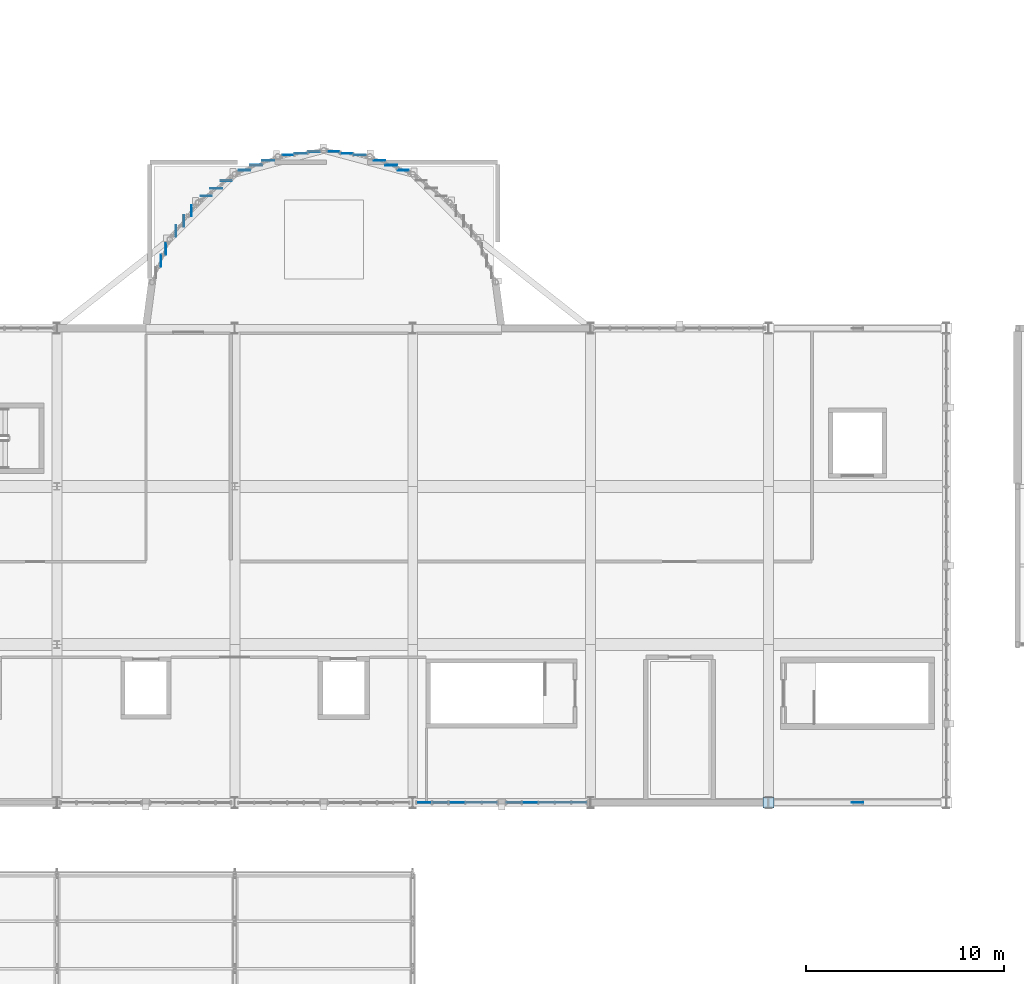
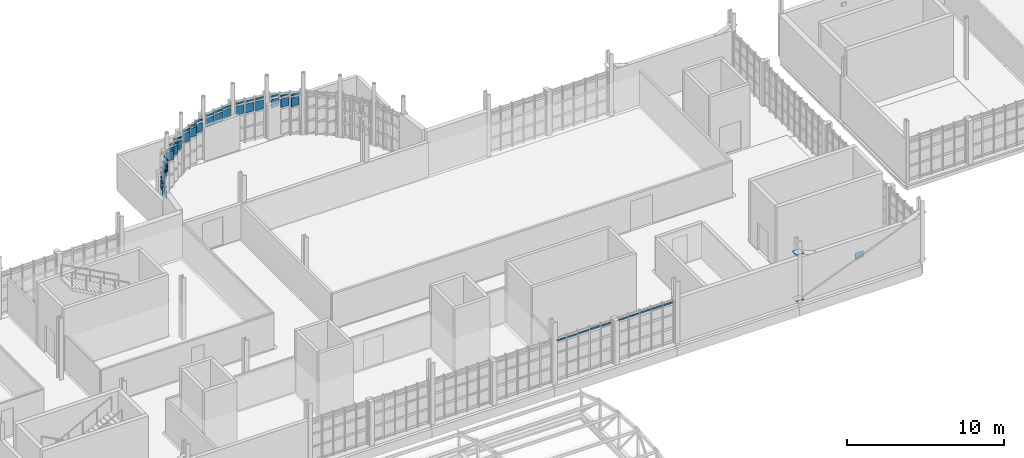
# One storey, part 100 of 128: 53 plates, 9 elements without a shape of their own.
"""IFC4 building model written with IfcOpenShell, lengths in metres."""

from ifc_helpers import new_model, si_unit, direction, frame, origin, origin_2d, place, context, subcontext, project, spatial, rectangle, extrude, material, layer, layer_set, type_object, element, aggregate, save


model = new_model("IFC4")

# Units and contexts
model_context = context("Model", 3, precision=1e-05, world=origin(), true_north=direction((0.0, 1.0)))
body_context = subcontext(model_context, "Body", "Model", "MODEL_VIEW")
ifc_project = project(units=[si_unit("LENGTHUNIT", "METRE"), si_unit("AREAUNIT", "SQUARE_METRE"), si_unit("VOLUMEUNIT", "CUBIC_METRE"), si_unit("PLANEANGLEUNIT", "RADIAN"), si_unit("MASSUNIT", "GRAM", prefix="KILO")], contexts=[model_context])

# Site, building, storey
site_placement = place(None, origin())
site = spatial("IfcSite", under=ifc_project, at=site_placement, CompositionType="ELEMENT")
building_placement = place(site_placement, origin())
building = spatial("IfcBuilding", under=site, at=building_placement, Name="Serraforn Aerial Cableway Station", CompositionType="ELEMENT")
storey_placement = place(building_placement, frame((0.0, 0.0, 9.0)))
storey = spatial("IfcBuildingStorey", under=building, at=storey_placement, Name="L02", CompositionType="ELEMENT", Elevation=9.0)

# Curtain wall, plate
ifc_material_1 = material(Name="Anodised bronze unitised curtain wall")
curtain_wall_type_1 = type_object("IfcCurtainWallType", Name="CW-SYS-23", PredefinedType="USERDEFINED", material=ifc_material_1)
curtain_wall_1_placement = place(storey_placement, origin())
curtain_wall_1 = element("IfcCurtainWall", 1, at=curtain_wall_1_placement, inside=storey, type_object=curtain_wall_type_1, Name="Unitised Curtain Wall CW-CV-L02-S5A", ObjectType="UNITISED CURTAIN WALL", PredefinedType="USERDEFINED")
ifc_material_2 = material(Name="Solar-control low-E double glazing", Category="glass")
ifc_layer_1 = layer(ifc_material_2, 0.02587890625)
ifc_layer_set_1 = layer_set([ifc_layer_1], Name="Solar-control low-E double glazing")
plate_type_1 = type_object("IfcPlateType", Name="CW-GLZ-1", PredefinedType="CURTAIN_PANEL", material=ifc_layer_set_1)
plate_1_placement = place(storey_placement, frame((65.839111328125, 18.0, 3.08251953125), z_axis=(0.0, 0.0, 1.0), x_axis=(1.0, 0.0, 0.0)))
plate_1 = element("IfcPlate", 2, at=plate_1_placement, type_object=plate_type_1, Name="Curtain Wall Panel CW-CV-L02-S5A-P3-4", PredefinedType="CURTAIN_PANEL", context=body_context, shape_type="SweptSolid", body=[
    extrude(rectangle(XDim=0.7734375, YDim=0.02587890625, at=origin_2d()), origin(), (0.0, 0.0, 1.0), 0.1201171875),
])

curtain_wall_type_2 = type_object("IfcCurtainWallType", Name="CW-SYS-24", PredefinedType="USERDEFINED", material=ifc_material_1)
curtain_wall_2_placement = place(storey_placement, origin())
curtain_wall_2 = element("IfcCurtainWall", 3, at=curtain_wall_2_placement, inside=storey, type_object=curtain_wall_type_2, Name="Unitised Curtain Wall CW-CV-L02-S5B", ObjectType="UNITISED CURTAIN WALL", PredefinedType="USERDEFINED")
plate_2_placement = place(storey_placement, frame((69.53662109375, 18.0, 3.08251953125), z_axis=(0.0, 0.0, 1.0), x_axis=(1.0, 0.0, 0.0)))
plate_2 = element("IfcPlate", 4, at=plate_2_placement, type_object=plate_type_1, Name="Curtain Wall Panel CW-CV-L02-S5B-P2-4", PredefinedType="CURTAIN_PANEL", context=body_context, shape_type="SweptSolid", body=[
    extrude(rectangle(XDim=0.7734375, YDim=0.02587890625, at=origin_2d()), origin(), (0.0, 0.0, 1.0), 0.1201171875),
])

# Curtain wall, plates
curtain_wall_type_3 = type_object("IfcCurtainWallType", Name="CW-SYS-5", PredefinedType="USERDEFINED", material=ifc_material_1)
curtain_wall_3_placement = place(storey_placement, origin())
curtain_wall_3 = element("IfcCurtainWall", 5, at=curtain_wall_3_placement, inside=storey, type_object=curtain_wall_type_3, Name="Unitised Curtain Wall CW-AP-L02-R2", ObjectType="UNITISED CURTAIN WALL", PredefinedType="USERDEFINED")
plate_3_placement = place(storey_placement, frame((51.105224609375, 46.015869140625, 3.0673828125), z_axis=(0.0, 0.0, 1.0), x_axis=(1.0, 0.0, 0.0)))
plate_3 = element("IfcPlate", 6, at=plate_3_placement, type_object=plate_type_1, Name="Curtain Wall Panel CW-AP-L02-R2-P1-4", PredefinedType="CURTAIN_PANEL", context=body_context, shape_type="SweptSolid", body=[
    extrude(rectangle(XDim=0.02587890625, YDim=0.569580078125, at=origin_2d()), origin(), (0.0, 0.0, 1.0), 0.150146484375),
])
plate_4_placement = place(storey_placement, frame((50.856689453125, 45.416015625, 2.246826171875), z_axis=(0.0, 0.0, 1.0), x_axis=(1.0, 0.0, 0.0)))
plate_4 = element("IfcPlate", 7, at=plate_4_placement, type_object=plate_type_1, Name="Curtain Wall Panel CW-AP-L02-R2-P2-3", PredefinedType="CURTAIN_PANEL", context=body_context, shape_type="SweptSolid", body=[
    extrude(rectangle(XDim=0.02587890625, YDim=0.59716796875, at=origin_2d()), origin(), (0.0, 0.0, 1.0), 0.697265625),
])

# Curtain wall, plate
curtain_wall_type_4 = type_object("IfcCurtainWallType", Name="CW-SYS-6", PredefinedType="USERDEFINED", material=ifc_material_1)
curtain_wall_4_placement = place(storey_placement, origin())
curtain_wall_4 = element("IfcCurtainWall", 8, at=curtain_wall_4_placement, inside=storey, type_object=curtain_wall_type_4, Name="Unitised Curtain Wall CW-AP-L02-R3", ObjectType="UNITISED CURTAIN WALL", PredefinedType="USERDEFINED")
plate_5_placement = place(storey_placement, frame((52.410888671875, 47.940185546875, 2.246826171875), z_axis=(0.0, 0.0, 1.0), x_axis=(1.0, 0.0, 0.0)))
plate_5 = element("IfcPlate", 9, at=plate_5_placement, type_object=plate_type_1, Name="Curtain Wall Panel CW-AP-L02-R3-P1-3", PredefinedType="CURTAIN_PANEL", context=body_context, shape_type="SweptSolid", body=[
    extrude(rectangle(XDim=0.02587890625, YDim=0.553466796875, at=origin_2d()), origin(), (0.0, 0.0, 1.0), 0.697265625),
])

curtain_wall_type_5 = type_object("IfcCurtainWallType", Name="CW-SYS-11", PredefinedType="USERDEFINED", material=ifc_material_1)
curtain_wall_5_placement = place(storey_placement, origin())
curtain_wall_5 = element("IfcCurtainWall", 10, at=curtain_wall_5_placement, inside=storey, type_object=curtain_wall_type_5, Name="Unitised Curtain Wall CW-AP-L02-R8", ObjectType="UNITISED CURTAIN WALL", PredefinedType="USERDEFINED")
plate_6_placement = place(storey_placement, frame((61.914794921875, 50.4921875, 3.090087890625), z_axis=(0.0, 0.0, 1.0), x_axis=(1.0, 0.0, 0.0)))
plate_6 = element("IfcPlate", 11, at=plate_6_placement, type_object=plate_type_1, Name="Curtain Wall Panel CW-AP-L02-R8-P3-4", PredefinedType="CURTAIN_PANEL", context=body_context, shape_type="SweptSolid", body=[
    extrude(rectangle(XDim=0.58203125, YDim=0.02587890625, at=origin_2d()), origin(), (0.0, 0.0, 1.0), 0.14013671875),
])

# Plate
ifc_layer_2 = layer(ifc_material_2, 0.028076171875)
ifc_layer_set_2 = layer_set([ifc_layer_2], Name="Solar-control low-E double glazing")
plate_type_2 = type_object("IfcPlateType", Name="CW-GLZ-2", PredefinedType="CURTAIN_PANEL", material=ifc_layer_set_2)
plate_7_placement = place(storey_placement, frame((66.667236328125, 18.0, 3.090087890625), z_axis=(0.0, 0.0, 1.0), x_axis=(1.0, 0.0, 0.0)))
plate_7 = element("IfcPlate", 12, at=plate_7_placement, type_object=plate_type_2, Name="Curtain Wall Panel CW-CV-L02-S5A-P4-4", PredefinedType="CURTAIN_PANEL", context=body_context, shape_type="SweptSolid", body=[
    extrude(rectangle(XDim=0.781005859375, YDim=0.028076171875, at=origin_2d()), origin(), (0.0, 0.0, 1.0), 0.14013671875),
])

plate_8_placement = place(storey_placement, frame((70.36474609375, 18.0, 3.090087890625), z_axis=(0.0, 0.0, 1.0), x_axis=(1.0, 0.0, 0.0)))
plate_8 = element("IfcPlate", 13, at=plate_8_placement, type_object=plate_type_2, Name="Curtain Wall Panel CW-CV-L02-S5B-P3-4", PredefinedType="CURTAIN_PANEL", context=body_context, shape_type="SweptSolid", body=[
    extrude(rectangle(XDim=0.781005859375, YDim=0.028076171875, at=origin_2d()), origin(), (0.0, 0.0, 1.0), 0.14013671875),
])

plate_9_placement = place(storey_placement, frame((50.856689453125, 45.416015625, 3.0751953125), z_axis=(0.0, 0.0, 1.0), x_axis=(1.0, 0.0, 0.0)))
plate_9 = element("IfcPlate", 14, at=plate_9_placement, type_object=plate_type_2, Name="Curtain Wall Panel CW-AP-L02-R2-P2-4", PredefinedType="CURTAIN_PANEL", context=body_context, shape_type="SweptSolid", body=[
    extrude(rectangle(XDim=0.028076171875, YDim=0.59716796875, at=origin_2d()), origin(), (0.0, 0.0, 1.0), 0.135009765625),
])

plate_10_placement = place(storey_placement, frame((52.410888671875, 47.940185546875, 3.0751953125), z_axis=(0.0, 0.0, 1.0), x_axis=(1.0, 0.0, 0.0)))
plate_10 = element("IfcPlate", 15, at=plate_10_placement, type_object=plate_type_2, Name="Curtain Wall Panel CW-AP-L02-R3-P1-4", PredefinedType="CURTAIN_PANEL", context=body_context, shape_type="SweptSolid", body=[
    extrude(rectangle(XDim=0.028076171875, YDim=0.553466796875, at=origin_2d()), origin(), (0.0, 0.0, 1.0), 0.135009765625),
])

plate_11_placement = place(storey_placement, frame((52.017822265625, 47.427978515625, 2.25439453125), z_axis=(0.0, 0.0, 1.0), x_axis=(1.0, 0.0, 0.0)))
plate_11 = element("IfcPlate", 16, at=plate_11_placement, type_object=plate_type_2, Name="Curtain Wall Panel CW-AP-L02-R3-P2-3", PredefinedType="CURTAIN_PANEL", context=body_context, shape_type="SweptSolid", body=[
    extrude(rectangle(XDim=0.028076171875, YDim=0.595947265625, at=origin_2d()), origin(), (0.0, 0.0, 1.0), 0.682373046875),
])

# Curtain wall, plate
curtain_wall_type_6 = type_object("IfcCurtainWallType", Name="CW-SYS-7", PredefinedType="USERDEFINED", material=ifc_material_1)
curtain_wall_6_placement = place(storey_placement, origin())
curtain_wall_6 = element("IfcCurtainWall", 17, at=curtain_wall_6_placement, inside=storey, type_object=curtain_wall_type_6, Name="Unitised Curtain Wall CW-AP-L02-R4", ObjectType="UNITISED CURTAIN WALL", PredefinedType="USERDEFINED")
plate_12_placement = place(storey_placement, frame((54.17041015625, 49.464599609375, 2.25439453125), z_axis=(0.0, 0.0, 1.0), x_axis=(1.0, 0.0, 0.0)))
plate_12 = element("IfcPlate", 18, at=plate_12_placement, type_object=plate_type_2, Name="Curtain Wall Panel CW-AP-L02-R4-P1-3", PredefinedType="CURTAIN_PANEL", context=body_context, shape_type="SweptSolid", body=[
    extrude(rectangle(XDim=0.558349609375, YDim=0.028076171875, at=origin_2d()), origin(), (0.0, 0.0, 1.0), 0.682373046875),
])

# Plate
ifc_layer_3 = layer(ifc_material_2, 0.030029296875)
ifc_layer_set_3 = layer_set([ifc_layer_3], Name="Solar-control low-E double glazing")
plate_type_3 = type_object("IfcPlateType", Name="CW-GLZ-3", PredefinedType="CURTAIN_PANEL", material=ifc_layer_set_3)
plate_13_placement = place(storey_placement, frame((67.4853515625, 18.0, 3.0625), z_axis=(0.0, 0.0, 1.0), x_axis=(1.0, 0.0, 0.0)))
plate_13 = element("IfcPlate", 19, at=plate_13_placement, type_object=plate_type_3, Name="Curtain Wall Panel CW-CV-L02-S5A-P5-4", PredefinedType="CURTAIN_PANEL", context=body_context, shape_type="SweptSolid", body=[
    extrude(rectangle(XDim=0.743408203125, YDim=0.030029296875, at=origin_2d()), origin(), (0.0, 0.0, 1.0), 0.16259765625),
])

plate_14_placement = place(storey_placement, frame((71.19921875, 18.0, 3.0625), z_axis=(0.0, 0.0, 1.0), x_axis=(1.0, 0.0, 0.0)))
plate_14 = element("IfcPlate", 20, at=plate_14_placement, type_object=plate_type_3, Name="Curtain Wall Panel CW-CV-L02-S5B-P4-4", PredefinedType="CURTAIN_PANEL", context=body_context, shape_type="SweptSolid", body=[
    extrude(rectangle(XDim=0.77587890625, YDim=0.030029296875, at=origin_2d()), origin(), (0.0, 0.0, 1.0), 0.16259765625),
])

plate_15_placement = place(storey_placement, frame((52.017822265625, 47.427978515625, 3.08251953125), z_axis=(0.0, 0.0, 1.0), x_axis=(1.0, 0.0, 0.0)))
plate_15 = element("IfcPlate", 21, at=plate_15_placement, type_object=plate_type_3, Name="Curtain Wall Panel CW-AP-L02-R3-P2-4", PredefinedType="CURTAIN_PANEL", context=body_context, shape_type="SweptSolid", body=[
    extrude(rectangle(XDim=0.030029296875, YDim=0.595947265625, at=origin_2d()), origin(), (0.0, 0.0, 1.0), 0.1201171875),
])

plate_16_placement = place(storey_placement, frame((51.630859375, 46.923828125, 2.26171875), z_axis=(0.0, 0.0, 1.0), x_axis=(1.0, 0.0, 0.0)))
plate_16 = element("IfcPlate", 22, at=plate_16_placement, type_object=plate_type_3, Name="Curtain Wall Panel CW-AP-L02-R3-P3-3", PredefinedType="CURTAIN_PANEL", context=body_context, shape_type="SweptSolid", body=[
    extrude(rectangle(XDim=0.030029296875, YDim=0.573486328125, at=origin_2d()), origin(), (0.0, 0.0, 1.0), 0.667236328125),
])

plate_17_placement = place(storey_placement, frame((54.17041015625, 49.464599609375, 3.08251953125), z_axis=(0.0, 0.0, 1.0), x_axis=(1.0, 0.0, 0.0)))
plate_17 = element("IfcPlate", 23, at=plate_17_placement, type_object=plate_type_3, Name="Curtain Wall Panel CW-AP-L02-R4-P1-4", PredefinedType="CURTAIN_PANEL", context=body_context, shape_type="SweptSolid", body=[
    extrude(rectangle(XDim=0.558349609375, YDim=0.030029296875, at=origin_2d()), origin(), (0.0, 0.0, 1.0), 0.1201171875),
])

plate_18_placement = place(storey_placement, frame((53.6689453125, 49.079833984375, 2.26171875), z_axis=(0.0, 0.0, 1.0), x_axis=(1.0, 0.0, 0.0)))
plate_18 = element("IfcPlate", 24, at=plate_18_placement, type_object=plate_type_3, Name="Curtain Wall Panel CW-AP-L02-R4-P2-3", PredefinedType="CURTAIN_PANEL", context=body_context, shape_type="SweptSolid", body=[
    extrude(rectangle(XDim=0.603515625, YDim=0.030029296875, at=origin_2d()), origin(), (0.0, 0.0, 1.0), 0.667236328125),
])

# Curtain wall, plate
curtain_wall_type_7 = type_object("IfcCurtainWallType", Name="CW-SYS-8", PredefinedType="USERDEFINED", material=ifc_material_1)
curtain_wall_7_placement = place(storey_placement, origin())
curtain_wall_7 = element("IfcCurtainWall", 25, at=curtain_wall_7_placement, inside=storey, type_object=curtain_wall_type_7, Name="Unitised Curtain Wall CW-AP-L02-R5", ObjectType="UNITISED CURTAIN WALL", PredefinedType="USERDEFINED")
plate_19_placement = place(storey_placement, frame((56.288818359375, 50.49365234375, 2.26171875), z_axis=(0.0, 0.0, 1.0), x_axis=(1.0, 0.0, 0.0)))
plate_19 = element("IfcPlate", 26, at=plate_19_placement, type_object=plate_type_3, Name="Curtain Wall Panel CW-AP-L02-R5-P1-3", PredefinedType="CURTAIN_PANEL", context=body_context, shape_type="SweptSolid", body=[
    extrude(rectangle(XDim=0.584716796875, YDim=0.030029296875, at=origin_2d()), origin(), (0.0, 0.0, 1.0), 0.667236328125),
])

# Plate
ifc_layer_4 = layer(ifc_material_2, 0.031982421875)
ifc_layer_set_4 = layer_set([ifc_layer_4], Name="Solar-control low-E double glazing")
plate_type_4 = type_object("IfcPlateType", Name="CW-GLZ-4", PredefinedType="CURTAIN_PANEL", material=ifc_layer_set_4)
plate_20_placement = place(storey_placement, frame((72.01611328125, 18.0, 3.0673828125), z_axis=(0.0, 0.0, 1.0), x_axis=(1.0, 0.0, 0.0)))
plate_20 = element("IfcPlate", 27, at=plate_20_placement, type_object=plate_type_4, Name="Curtain Wall Panel CW-CV-L02-S5B-P5-4", PredefinedType="CURTAIN_PANEL", context=body_context, shape_type="SweptSolid", body=[
    extrude(rectangle(XDim=0.73583984375, YDim=0.031982421875, at=origin_2d()), origin(), (0.0, 0.0, 1.0), 0.150146484375),
])

plate_21_placement = place(storey_placement, frame((51.630859375, 46.923828125, 3.090087890625), z_axis=(0.0, 0.0, 1.0), x_axis=(1.0, 0.0, 0.0)))
plate_21 = element("IfcPlate", 28, at=plate_21_placement, type_object=plate_type_4, Name="Curtain Wall Panel CW-AP-L02-R3-P3-4", PredefinedType="CURTAIN_PANEL", context=body_context, shape_type="SweptSolid", body=[
    extrude(rectangle(XDim=0.031982421875, YDim=0.573486328125, at=origin_2d()), origin(), (0.0, 0.0, 1.0), 0.14013671875),
])

aggregate(curtain_wall_4, [plate_5, plate_10, plate_11, plate_15, plate_16, plate_21])

plate_22_placement = place(storey_placement, frame((53.6689453125, 49.079833984375, 3.090087890625), z_axis=(0.0, 0.0, 1.0), x_axis=(1.0, 0.0, 0.0)))
plate_22 = element("IfcPlate", 29, at=plate_22_placement, type_object=plate_type_4, Name="Curtain Wall Panel CW-AP-L02-R4-P2-4", PredefinedType="CURTAIN_PANEL", context=body_context, shape_type="SweptSolid", body=[
    extrude(rectangle(XDim=0.603515625, YDim=0.031982421875, at=origin_2d()), origin(), (0.0, 0.0, 1.0), 0.14013671875),
])

plate_23_placement = place(storey_placement, frame((53.160888671875, 48.68994140625, 2.26953125), z_axis=(0.0, 0.0, 1.0), x_axis=(1.0, 0.0, 0.0)))
plate_23 = element("IfcPlate", 30, at=plate_23_placement, type_object=plate_type_4, Name="Curtain Wall Panel CW-AP-L02-R4-P3-3", PredefinedType="CURTAIN_PANEL", context=body_context, shape_type="SweptSolid", body=[
    extrude(rectangle(XDim=0.56591796875, YDim=0.031982421875, at=origin_2d()), origin(), (0.0, 0.0, 1.0), 0.687255859375),
])

plate_24_placement = place(storey_placement, frame((56.288818359375, 50.49365234375, 3.090087890625), z_axis=(0.0, 0.0, 1.0), x_axis=(1.0, 0.0, 0.0)))
plate_24 = element("IfcPlate", 31, at=plate_24_placement, type_object=plate_type_4, Name="Curtain Wall Panel CW-AP-L02-R5-P1-4", PredefinedType="CURTAIN_PANEL", context=body_context, shape_type="SweptSolid", body=[
    extrude(rectangle(XDim=0.584716796875, YDim=0.031982421875, at=origin_2d()), origin(), (0.0, 0.0, 1.0), 0.14013671875),
])

plate_25_placement = place(storey_placement, frame((55.6865234375, 50.244140625, 2.26953125), z_axis=(0.0, 0.0, 1.0), x_axis=(1.0, 0.0, 0.0)))
plate_25 = element("IfcPlate", 32, at=plate_25_placement, type_object=plate_type_4, Name="Curtain Wall Panel CW-AP-L02-R5-P2-3", PredefinedType="CURTAIN_PANEL", context=body_context, shape_type="SweptSolid", body=[
    extrude(rectangle(XDim=0.607177734375, YDim=0.031982421875, at=origin_2d()), origin(), (0.0, 0.0, 1.0), 0.687255859375),
])

# Curtain wall, plate
curtain_wall_type_8 = type_object("IfcCurtainWallType", Name="CW-SYS-9", PredefinedType="USERDEFINED", material=ifc_material_1)
curtain_wall_8_placement = place(storey_placement, origin())
curtain_wall_8 = element("IfcCurtainWall", 33, at=curtain_wall_8_placement, inside=storey, type_object=curtain_wall_type_8, Name="Unitised Curtain Wall CW-AP-L02-R6", ObjectType="UNITISED CURTAIN WALL", PredefinedType="USERDEFINED")
plate_26_placement = place(storey_placement, frame((58.59814453125, 50.93408203125, 2.26953125), z_axis=(0.0, 0.0, 1.0), x_axis=(1.0, 0.0, 0.0)))
plate_26 = element("IfcPlate", 34, at=plate_26_placement, type_object=plate_type_4, Name="Curtain Wall Panel CW-AP-L02-R6-P1-3", PredefinedType="CURTAIN_PANEL", context=body_context, shape_type="SweptSolid", body=[
    extrude(rectangle(XDim=0.593994140625, YDim=0.031982421875, at=origin_2d()), origin(), (0.0, 0.0, 1.0), 0.687255859375),
])

# Plate
ifc_layer_5 = layer(ifc_material_2, 0.033935546875)
ifc_layer_set_5 = layer_set([ifc_layer_5], Name="Solar-control low-E double glazing")
plate_type_5 = type_object("IfcPlateType", Name="CW-GLZ-5", PredefinedType="CURTAIN_PANEL", material=ifc_layer_set_5)
plate_27_placement = place(storey_placement, frame((53.160888671875, 48.68994140625, 3.0625), z_axis=(0.0, 0.0, 1.0), x_axis=(1.0, 0.0, 0.0)))
plate_27 = element("IfcPlate", 35, at=plate_27_placement, type_object=plate_type_5, Name="Curtain Wall Panel CW-AP-L02-R4-P3-4", PredefinedType="CURTAIN_PANEL", context=body_context, shape_type="SweptSolid", body=[
    extrude(rectangle(XDim=0.56591796875, YDim=0.033935546875, at=origin_2d()), origin(), (0.0, 0.0, 1.0), 0.16259765625),
])

aggregate(curtain_wall_6, [plate_12, plate_17, plate_18, plate_22, plate_23, plate_27])

plate_28_placement = place(storey_placement, frame((55.6865234375, 50.244140625, 3.0625), z_axis=(0.0, 0.0, 1.0), x_axis=(1.0, 0.0, 0.0)))
plate_28 = element("IfcPlate", 36, at=plate_28_placement, type_object=plate_type_5, Name="Curtain Wall Panel CW-AP-L02-R5-P2-4", PredefinedType="CURTAIN_PANEL", context=body_context, shape_type="SweptSolid", body=[
    extrude(rectangle(XDim=0.607177734375, YDim=0.033935546875, at=origin_2d()), origin(), (0.0, 0.0, 1.0), 0.16259765625),
])

plate_29_placement = place(storey_placement, frame((55.087646484375, 49.99609375, 2.24169921875), z_axis=(0.0, 0.0, 1.0), x_axis=(1.0, 0.0, 0.0)))
plate_29 = element("IfcPlate", 37, at=plate_29_placement, type_object=plate_type_5, Name="Curtain Wall Panel CW-AP-L02-R5-P3-3", PredefinedType="CURTAIN_PANEL", context=body_context, shape_type="SweptSolid", body=[
    extrude(rectangle(XDim=0.567138671875, YDim=0.033935546875, at=origin_2d()), origin(), (0.0, 0.0, 1.0), 0.709716796875),
])

plate_30_placement = place(storey_placement, frame((58.59814453125, 50.93408203125, 3.0625), z_axis=(0.0, 0.0, 1.0), x_axis=(1.0, 0.0, 0.0)))
plate_30 = element("IfcPlate", 38, at=plate_30_placement, type_object=plate_type_5, Name="Curtain Wall Panel CW-AP-L02-R6-P1-4", PredefinedType="CURTAIN_PANEL", context=body_context, shape_type="SweptSolid", body=[
    extrude(rectangle(XDim=0.593994140625, YDim=0.033935546875, at=origin_2d()), origin(), (0.0, 0.0, 1.0), 0.16259765625),
])

plate_31_placement = place(storey_placement, frame((57.9365234375, 50.8466796875, 2.24169921875), z_axis=(0.0, 0.0, 1.0), x_axis=(1.0, 0.0, 0.0)))
plate_31 = element("IfcPlate", 39, at=plate_31_placement, type_object=plate_type_5, Name="Curtain Wall Panel CW-AP-L02-R6-P2-3", PredefinedType="CURTAIN_PANEL", context=body_context, shape_type="SweptSolid", body=[
    extrude(rectangle(XDim=0.618896484375, YDim=0.033935546875, at=origin_2d()), origin(), (0.0, 0.0, 1.0), 0.709716796875),
])

# Curtain wall, plate
curtain_wall_type_9 = type_object("IfcCurtainWallType", Name="CW-SYS-10", PredefinedType="USERDEFINED", material=ifc_material_1)
curtain_wall_9_placement = place(storey_placement, origin())
curtain_wall_9 = element("IfcCurtainWall", 40, at=curtain_wall_9_placement, inside=storey, type_object=curtain_wall_type_9, Name="Unitised Curtain Wall CW-AP-L02-R7", ObjectType="UNITISED CURTAIN WALL", PredefinedType="USERDEFINED")
plate_32_placement = place(storey_placement, frame((60.926513671875, 50.759521484375, 2.24169921875), z_axis=(0.0, 0.0, 1.0), x_axis=(1.0, 0.0, 0.0)))
plate_32 = element("IfcPlate", 41, at=plate_32_placement, type_object=plate_type_5, Name="Curtain Wall Panel CW-AP-L02-R7-P1-3", PredefinedType="CURTAIN_PANEL", context=body_context, shape_type="SweptSolid", body=[
    extrude(rectangle(XDim=0.58642578125, YDim=0.033935546875, at=origin_2d()), origin(), (0.0, 0.0, 1.0), 0.709716796875),
])

# Plate
ifc_layer_6 = layer(ifc_material_2, 0.035888671875)
ifc_layer_set_6 = layer_set([ifc_layer_6], Name="Solar-control low-E double glazing")
plate_type_6 = type_object("IfcPlateType", Name="CW-GLZ-6", PredefinedType="CURTAIN_PANEL", material=ifc_layer_set_6)
plate_33_placement = place(storey_placement, frame((55.087646484375, 49.99609375, 3.0673828125), z_axis=(0.0, 0.0, 1.0), x_axis=(1.0, 0.0, 0.0)))
plate_33 = element("IfcPlate", 42, at=plate_33_placement, type_object=plate_type_6, Name="Curtain Wall Panel CW-AP-L02-R5-P3-4", PredefinedType="CURTAIN_PANEL", context=body_context, shape_type="SweptSolid", body=[
    extrude(rectangle(XDim=0.567138671875, YDim=0.035888671875, at=origin_2d()), origin(), (0.0, 0.0, 1.0), 0.150146484375),
])

aggregate(curtain_wall_7, [plate_19, plate_24, plate_25, plate_28, plate_29, plate_33])

plate_34_placement = place(storey_placement, frame((57.9365234375, 50.8466796875, 3.0673828125), z_axis=(0.0, 0.0, 1.0), x_axis=(1.0, 0.0, 0.0)))
plate_34 = element("IfcPlate", 43, at=plate_34_placement, type_object=plate_type_6, Name="Curtain Wall Panel CW-AP-L02-R6-P2-4", PredefinedType="CURTAIN_PANEL", context=body_context, shape_type="SweptSolid", body=[
    extrude(rectangle(XDim=0.618896484375, YDim=0.035888671875, at=origin_2d()), origin(), (0.0, 0.0, 1.0), 0.150146484375),
])

plate_35_placement = place(storey_placement, frame((57.278564453125, 50.76025390625, 2.246826171875), z_axis=(0.0, 0.0, 1.0), x_axis=(1.0, 0.0, 0.0)))
plate_35 = element("IfcPlate", 44, at=plate_35_placement, type_object=plate_type_6, Name="Curtain Wall Panel CW-AP-L02-R6-P3-3", PredefinedType="CURTAIN_PANEL", context=body_context, shape_type="SweptSolid", body=[
    extrude(rectangle(XDim=0.576416015625, YDim=0.035888671875, at=origin_2d()), origin(), (0.0, 0.0, 1.0), 0.697265625),
])

plate_36_placement = place(storey_placement, frame((60.926513671875, 50.759521484375, 3.0673828125), z_axis=(0.0, 0.0, 1.0), x_axis=(1.0, 0.0, 0.0)))
plate_36 = element("IfcPlate", 45, at=plate_36_placement, type_object=plate_type_6, Name="Curtain Wall Panel CW-AP-L02-R7-P1-4", PredefinedType="CURTAIN_PANEL", context=body_context, shape_type="SweptSolid", body=[
    extrude(rectangle(XDim=0.58642578125, YDim=0.035888671875, at=origin_2d()), origin(), (0.0, 0.0, 1.0), 0.150146484375),
])

plate_37_placement = place(storey_placement, frame((60.265869140625, 50.846435546875, 2.246826171875), z_axis=(0.0, 0.0, 1.0), x_axis=(1.0, 0.0, 0.0)))
plate_37 = element("IfcPlate", 46, at=plate_37_placement, type_object=plate_type_6, Name="Curtain Wall Panel CW-AP-L02-R7-P2-3", PredefinedType="CURTAIN_PANEL", context=body_context, shape_type="SweptSolid", body=[
    extrude(rectangle(XDim=0.614013671875, YDim=0.035888671875, at=origin_2d()), origin(), (0.0, 0.0, 1.0), 0.697265625),
])

plate_38_placement = place(storey_placement, frame((63.114501953125, 49.995361328125, 2.246826171875), z_axis=(0.0, 0.0, 1.0), x_axis=(1.0, 0.0, 0.0)))
plate_38 = element("IfcPlate", 47, at=plate_38_placement, type_object=plate_type_6, Name="Curtain Wall Panel CW-AP-L02-R8-P1-3", PredefinedType="CURTAIN_PANEL", context=body_context, shape_type="SweptSolid", body=[
    extrude(rectangle(XDim=0.56201171875, YDim=0.035888671875, at=origin_2d()), origin(), (0.0, 0.0, 1.0), 0.697265625),
])

ifc_layer_7 = layer(ifc_material_2, 0.029052734375)
ifc_layer_set_7 = layer_set([ifc_layer_7], Name="Solar-control low-E double glazing")
plate_type_7 = type_object("IfcPlateType", Name="CW-GLZ-7", PredefinedType="CURTAIN_PANEL", material=ifc_layer_set_7)
plate_39_placement = place(storey_placement, frame((64.18017578125, 18.0, 3.0673828125), z_axis=(0.0, 0.0, 1.0), x_axis=(1.0, 0.0, 0.0)))
plate_39 = element("IfcPlate", 48, at=plate_39_placement, type_object=plate_type_7, Name="Curtain Wall Panel CW-CV-L02-S5A-P1-4", PredefinedType="CURTAIN_PANEL", context=body_context, shape_type="SweptSolid", body=[
    extrude(rectangle(XDim=0.73828125, YDim=0.029052734375, at=origin_2d()), origin(), (0.0, 0.0, 1.0), 0.150146484375),
])

plate_40_placement = place(storey_placement, frame((57.278564453125, 50.76025390625, 3.0751953125), z_axis=(0.0, 0.0, 1.0), x_axis=(1.0, 0.0, 0.0)))
plate_40 = element("IfcPlate", 49, at=plate_40_placement, type_object=plate_type_7, Name="Curtain Wall Panel CW-AP-L02-R6-P3-4", PredefinedType="CURTAIN_PANEL", context=body_context, shape_type="SweptSolid", body=[
    extrude(rectangle(XDim=0.576416015625, YDim=0.029052734375, at=origin_2d()), origin(), (0.0, 0.0, 1.0), 0.135009765625),
])

aggregate(curtain_wall_8, [plate_26, plate_30, plate_31, plate_34, plate_35, plate_40])

plate_41_placement = place(storey_placement, frame((60.265869140625, 50.846435546875, 3.0751953125), z_axis=(0.0, 0.0, 1.0), x_axis=(1.0, 0.0, 0.0)))
plate_41 = element("IfcPlate", 50, at=plate_41_placement, type_object=plate_type_7, Name="Curtain Wall Panel CW-AP-L02-R7-P2-4", PredefinedType="CURTAIN_PANEL", context=body_context, shape_type="SweptSolid", body=[
    extrude(rectangle(XDim=0.614013671875, YDim=0.029052734375, at=origin_2d()), origin(), (0.0, 0.0, 1.0), 0.135009765625),
])

plate_42_placement = place(storey_placement, frame((59.5966796875, 50.9345703125, 2.25439453125), z_axis=(0.0, 0.0, 1.0), x_axis=(1.0, 0.0, 0.0)))
plate_42 = element("IfcPlate", 51, at=plate_42_placement, type_object=plate_type_7, Name="Curtain Wall Panel CW-AP-L02-R7-P3-3", PredefinedType="CURTAIN_PANEL", context=body_context, shape_type="SweptSolid", body=[
    extrude(rectangle(XDim=0.593994140625, YDim=0.029052734375, at=origin_2d()), origin(), (0.0, 0.0, 1.0), 0.682373046875),
])

plate_43_placement = place(storey_placement, frame((63.114501953125, 49.995361328125, 3.0751953125), z_axis=(0.0, 0.0, 1.0), x_axis=(1.0, 0.0, 0.0)))
plate_43 = element("IfcPlate", 52, at=plate_43_placement, type_object=plate_type_7, Name="Curtain Wall Panel CW-AP-L02-R8-P1-4", PredefinedType="CURTAIN_PANEL", context=body_context, shape_type="SweptSolid", body=[
    extrude(rectangle(XDim=0.56201171875, YDim=0.029052734375, at=origin_2d()), origin(), (0.0, 0.0, 1.0), 0.135009765625),
])

plate_44_placement = place(storey_placement, frame((62.510009765625, 50.24560546875, 2.25439453125), z_axis=(0.0, 0.0, 1.0), x_axis=(1.0, 0.0, 0.0)))
plate_44 = element("IfcPlate", 53, at=plate_44_placement, type_object=plate_type_7, Name="Curtain Wall Panel CW-AP-L02-R8-P2-3", PredefinedType="CURTAIN_PANEL", context=body_context, shape_type="SweptSolid", body=[
    extrude(rectangle(XDim=0.6044921875, YDim=0.029052734375, at=origin_2d()), origin(), (0.0, 0.0, 1.0), 0.682373046875),
])

ifc_layer_8 = layer(ifc_material_2, 0.031005859375)
ifc_layer_set_8 = layer_set([ifc_layer_8], Name="Solar-control low-E double glazing")
plate_type_8 = type_object("IfcPlateType", Name="CW-GLZ-8", PredefinedType="CURTAIN_PANEL", material=ifc_layer_set_8)
plate_45_placement = place(storey_placement, frame((64.998291015625, 18.0, 3.0751953125), z_axis=(0.0, 0.0, 1.0), x_axis=(1.0, 0.0, 0.0)))
plate_45 = element("IfcPlate", 54, at=plate_45_placement, type_object=plate_type_8, Name="Curtain Wall Panel CW-CV-L02-S5A-P2-4", PredefinedType="CURTAIN_PANEL", context=body_context, shape_type="SweptSolid", body=[
    extrude(rectangle(XDim=0.765869140625, YDim=0.031005859375, at=origin_2d()), origin(), (0.0, 0.0, 1.0), 0.135009765625),
])

aggregate(curtain_wall_1, [plate_39, plate_45, plate_1, plate_7, plate_13])

plate_46_placement = place(storey_placement, frame((68.71337890625, 18.0, 3.0751953125), z_axis=(0.0, 0.0, 1.0), x_axis=(1.0, 0.0, 0.0)))
plate_46 = element("IfcPlate", 55, at=plate_46_placement, type_object=plate_type_8, Name="Curtain Wall Panel CW-CV-L02-S5B-P1-4", PredefinedType="CURTAIN_PANEL", context=body_context, shape_type="SweptSolid", body=[
    extrude(rectangle(XDim=0.73095703125, YDim=0.031005859375, at=origin_2d()), origin(), (0.0, 0.0, 1.0), 0.135009765625),
])

aggregate(curtain_wall_2, [plate_46, plate_2, plate_8, plate_14, plate_20])

plate_47_placement = place(storey_placement, frame((51.105224609375, 46.015869140625, 2.24169921875), z_axis=(0.0, 0.0, 1.0), x_axis=(1.0, 0.0, 0.0)))
plate_47 = element("IfcPlate", 56, at=plate_47_placement, type_object=plate_type_8, Name="Curtain Wall Panel CW-AP-L02-R2-P1-3", PredefinedType="CURTAIN_PANEL", context=body_context, shape_type="SweptSolid", body=[
    extrude(rectangle(XDim=0.031005859375, YDim=0.569580078125, at=origin_2d()), origin(), (0.0, 0.0, 1.0), 0.709716796875),
])

aggregate(curtain_wall_3, [plate_47, plate_3, plate_4, plate_9])

plate_48_placement = place(storey_placement, frame((59.5966796875, 50.9345703125, 3.08251953125), z_axis=(0.0, 0.0, 1.0), x_axis=(1.0, 0.0, 0.0)))
plate_48 = element("IfcPlate", 57, at=plate_48_placement, type_object=plate_type_8, Name="Curtain Wall Panel CW-AP-L02-R7-P3-4", PredefinedType="CURTAIN_PANEL", context=body_context, shape_type="SweptSolid", body=[
    extrude(rectangle(XDim=0.593994140625, YDim=0.031005859375, at=origin_2d()), origin(), (0.0, 0.0, 1.0), 0.1201171875),
])

aggregate(curtain_wall_9, [plate_32, plate_36, plate_37, plate_41, plate_42, plate_48])

plate_49_placement = place(storey_placement, frame((62.510009765625, 50.24560546875, 3.08251953125), z_axis=(0.0, 0.0, 1.0), x_axis=(1.0, 0.0, 0.0)))
plate_49 = element("IfcPlate", 58, at=plate_49_placement, type_object=plate_type_8, Name="Curtain Wall Panel CW-AP-L02-R8-P2-4", PredefinedType="CURTAIN_PANEL", context=body_context, shape_type="SweptSolid", body=[
    extrude(rectangle(XDim=0.6044921875, YDim=0.031005859375, at=origin_2d()), origin(), (0.0, 0.0, 1.0), 0.1201171875),
])

plate_50_placement = place(storey_placement, frame((61.914794921875, 50.4921875, 2.26171875), z_axis=(0.0, 0.0, 1.0), x_axis=(1.0, 0.0, 0.0)))
plate_50 = element("IfcPlate", 59, at=plate_50_placement, type_object=plate_type_8, Name="Curtain Wall Panel CW-AP-L02-R8-P3-3", PredefinedType="CURTAIN_PANEL", context=body_context, shape_type="SweptSolid", body=[
    extrude(rectangle(XDim=0.58203125, YDim=0.031005859375, at=origin_2d()), origin(), (0.0, 0.0, 1.0), 0.667236328125),
])

aggregate(curtain_wall_5, [plate_38, plate_43, plate_44, plate_49, plate_50, plate_6])

# Plates
ifc_material_3 = material(Name="Steel S355J2", Category="steel")
ifc_layer_9 = layer(ifc_material_3, 0.031982421875)
ifc_layer_set_9 = layer_set([ifc_layer_9], Name="Steel S355J2")
plate_type_9 = type_object("IfcPlateType", Name="PLT-CAP-32", PredefinedType="USERDEFINED", material=ifc_layer_set_9)
for number, where, z_axis, x_axis, name in (
    (60, (81.60009765625, 18.0, 0.18408203125), (0.0, 0.0, 1.0), (1.0, 0.0, 0.0), "Wind Brace Cap Plate 2-A"),
    (61, (81.60009765625, 18.0, 3.7841796875), (0.0, 0.0, 1.0), (1.0, 0.0, 0.0), "Split X-Brace Outer Cap 2-A"),
):
    element("IfcPlate", number, at=place(storey_placement, frame(where, z_axis=z_axis, x_axis=x_axis)), inside=storey, type_object=plate_type_9, Name=name, ObjectType="CAP PLATE", PredefinedType="USERDEFINED", context=body_context, shape_type="SweptSolid", body=[
        extrude(rectangle(XDim=0.5400390625, YDim=0.5400390625, at=origin_2d()), origin(), (0.0, 0.0, 1.0), 0.031982421875),
    ])
ifc_layer_10 = layer(ifc_material_3, 0.02490234375)
ifc_layer_set_10 = layer_set([ifc_layer_10], Name="Steel S355J2")
plate_type_10 = type_object("IfcPlateType", Name="PLT-GUS-25X", PredefinedType="USERDEFINED", material=ifc_layer_set_10)
plate_51_placement = place(storey_placement, frame((86.10009765625, 18.0, 1.75), z_axis=(0.0, 0.0, 1.0), x_axis=(1.0, 0.0, 0.0)))
element("IfcPlate", 62, at=plate_51_placement, inside=storey, type_object=plate_type_10, Name="X-Brace Crossing Node Gusset 2", ObjectType="GUSSET PLATE", PredefinedType="USERDEFINED", context=body_context, shape_type="SweptSolid", body=[
    extrude(rectangle(XDim=0.60009765625, YDim=0.02490234375, at=origin_2d()), origin(), (0.0, 0.0, 1.0), 0.5),
])

save(model, "model.ifc")
